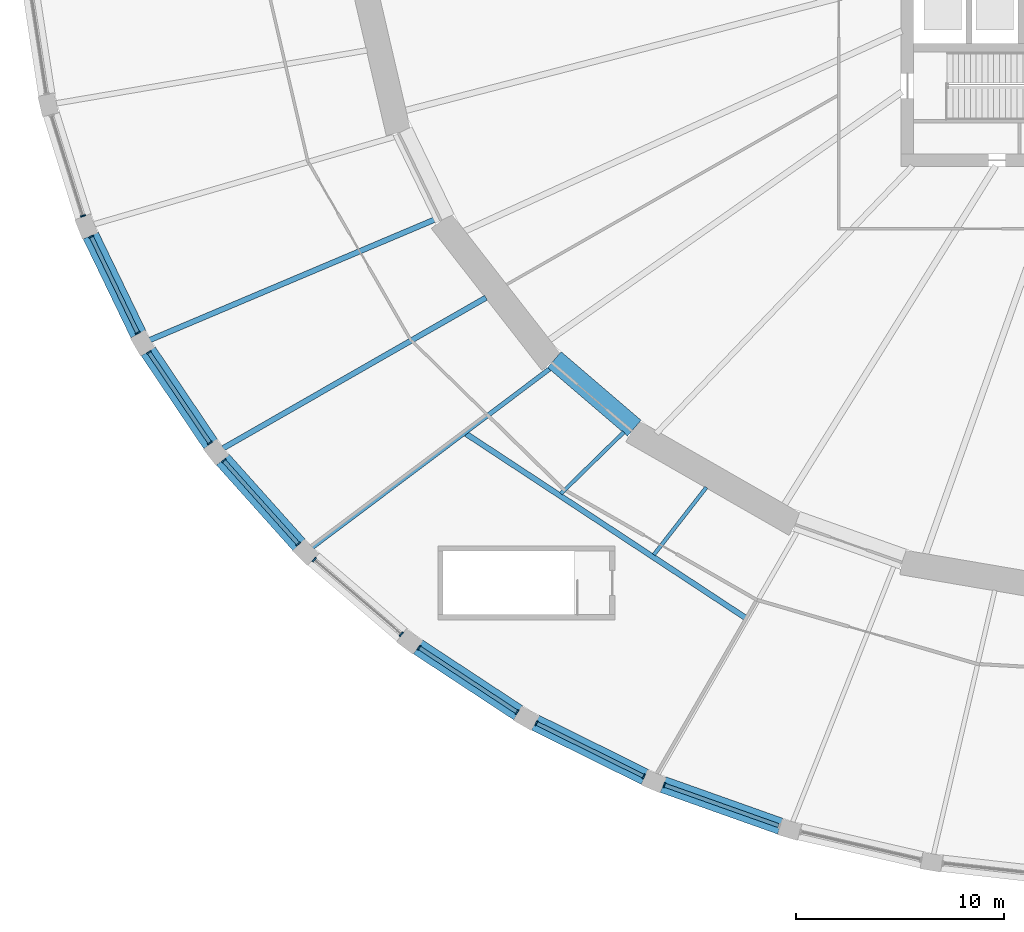
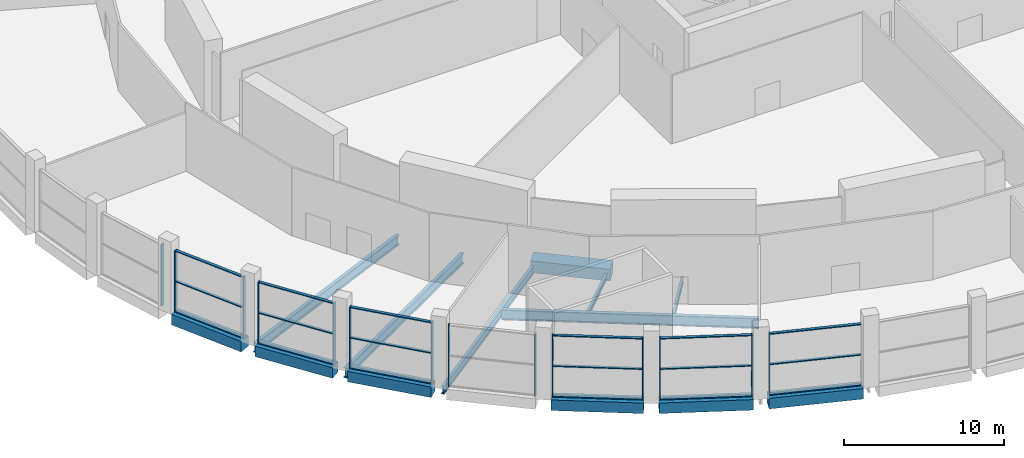
# One storey, part 2 of 26: 32 members, 13 beams, 8 elements without a shape of their own.
"""IFC4 building model written with IfcOpenShell, lengths in metres."""

from ifc_helpers import new_model, si_unit, direction, frame, origin, origin_2d, place, context, subcontext, project, spatial, rectangle, i_section, extrude, material, material_profile, profile_set, type_object, element, aggregate, save


model = new_model("IFC4")

# Units and contexts
model_context = context("Model", 3, precision=1e-05, world=origin(), true_north=direction((0.0, 1.0)))
body_context = subcontext(model_context, "Body", "Model", "MODEL_VIEW")
ifc_project = project(units=[si_unit("LENGTHUNIT", "METRE"), si_unit("AREAUNIT", "SQUARE_METRE"), si_unit("VOLUMEUNIT", "CUBIC_METRE"), si_unit("PLANEANGLEUNIT", "RADIAN"), si_unit("MASSUNIT", "GRAM", prefix="KILO")], contexts=[model_context])

# Site, building, storey
site_placement = place(None, origin())
site = spatial("IfcSite", under=ifc_project, at=site_placement, CompositionType="ELEMENT")
building_placement = place(site_placement, origin())
building = spatial("IfcBuilding", under=site, at=building_placement, Name="Halqa Exchange Tower", CompositionType="ELEMENT")
storey_placement = place(building_placement, frame((0.0, 0.0, 18.0)))
storey = spatial("IfcBuildingStorey", under=building, at=storey_placement, Name="L03", CompositionType="ELEMENT", Elevation=18.0)

# Curtain wall, member
ifc_material_1 = material(Name="Anodised aluminium and clear glass", Category="aluminium")
curtain_wall_type = type_object("IfcCurtainWallType", Name="Exchange hall glazing", PredefinedType="NOTDEFINED", material=ifc_material_1)
curtain_wall_1_placement = place(storey_placement, origin())
curtain_wall_1 = element("IfcCurtainWall", 1, at=curtain_wall_1_placement, inside=storey, type_object=curtain_wall_type, Name="Exchange hall glazing run P26", PredefinedType="NOTDEFINED")
ifc_material_2 = material(Name="Anodised aluminium", Category="aluminium")
ifc_material_profile_1 = material_profile(ifc_material_2, rectangle(XDim=0.25, YDim=0.070068359375, at=origin_2d()), Name="AL 70x250")
ifc_profile_set_1 = profile_set([ifc_material_profile_1], Name="Anodised aluminium")
member_type_1 = type_object("IfcMemberType", Name="Exchange hall glazing mullion 70 x 250", PredefinedType="MULLION", material=ifc_profile_set_1)
member_1_placement = place(storey_placement, frame((-51.293701171875, -14.3720703125, 0.0), z_axis=(0.0, 0.0, 1.0), x_axis=(0.95447130463, 0.298302746613, 0.0)))
member_1 = element("IfcMember", 2, at=member_1_placement, type_object=member_type_1, Name="P26 mullion 2", PredefinedType="MULLION", context=body_context, shape_type="SweptSolid", body=[
    extrude(rectangle(XDim=0.25, YDim=0.070068359375, at=origin_2d()), origin(), (0.0, 0.0, 1.0), 4.699951171875),
])
aggregate(curtain_wall_1, [member_1])

# Curtain wall, members
curtain_wall_2_placement = place(storey_placement, origin())
curtain_wall_2 = element("IfcCurtainWall", 3, at=curtain_wall_2_placement, inside=storey, type_object=curtain_wall_type, Name="Exchange hall glazing run P27", PredefinedType="NOTDEFINED")
member_2_placement = place(storey_placement, frame((-50.9013671875, -15.3642578125, 0.0), z_axis=(0.0, 0.0, 1.0), x_axis=(0.90043534892, 0.434989864727, 0.0)))
member_2 = element("IfcMember", 4, at=member_2_placement, type_object=member_type_1, Name="P27 mullion 1", PredefinedType="MULLION", context=body_context, shape_type="SweptSolid", body=[
    extrude(rectangle(XDim=0.25, YDim=0.070068359375, at=origin_2d()), origin(), (0.0, 0.0, 1.0), 4.699951171875),
])
member_3_placement = place(storey_placement, frame((-48.663818359375, -19.996337890625, 0.0), z_axis=(0.0, 0.0, 1.0), x_axis=(0.90043534892, 0.434989864727, 0.0)))
member_3 = element("IfcMember", 5, at=member_3_placement, type_object=member_type_1, Name="P27 mullion 2", PredefinedType="MULLION", context=body_context, shape_type="SweptSolid", body=[
    extrude(rectangle(XDim=0.25, YDim=0.070068359375, at=origin_2d()), origin(), (0.0, 0.0, 1.0), 4.699951171875),
])

curtain_wall_3_placement = place(storey_placement, origin())
curtain_wall_3 = element("IfcCurtainWall", 6, at=curtain_wall_3_placement, inside=storey, type_object=curtain_wall_type, Name="Exchange hall glazing run P28", PredefinedType="NOTDEFINED")
member_4_placement = place(storey_placement, frame((-48.13232421875, -20.921630859375, 0.0), z_axis=(0.0, 0.0, 1.0), x_axis=(0.8294895023, 0.55852230535, 0.0)))
member_4 = element("IfcMember", 7, at=member_4_placement, type_object=member_type_1, Name="P28 mullion 1", PredefinedType="MULLION", context=body_context, shape_type="SweptSolid", body=[
    extrude(rectangle(XDim=0.25, YDim=0.070068359375, at=origin_2d()), origin(), (0.0, 0.0, 1.0), 4.699951171875),
])
member_5_placement = place(storey_placement, frame((-45.1982421875, -25.279052734375, 0.0), z_axis=(0.0, 0.0, 1.0), x_axis=(0.8294895023, 0.55852230535, 0.0)))
member_5 = element("IfcMember", 8, at=member_5_placement, type_object=member_type_1, Name="P28 mullion 2", PredefinedType="MULLION", context=body_context, shape_type="SweptSolid", body=[
    extrude(rectangle(XDim=0.25, YDim=0.070068359375, at=origin_2d()), origin(), (0.0, 0.0, 1.0), 4.699951171875),
])

curtain_wall_4_placement = place(storey_placement, origin())
curtain_wall_4 = element("IfcCurtainWall", 9, at=curtain_wall_4_placement, inside=storey, type_object=curtain_wall_type, Name="Exchange hall glazing run P29", PredefinedType="NOTDEFINED")
member_6_placement = place(storey_placement, frame((-44.542724609375, -26.12158203125, 0.0), z_axis=(0.0, 0.0, 1.0), x_axis=(0.74514769466, 0.666899477539, 0.0)))
member_6 = element("IfcMember", 10, at=member_6_placement, type_object=member_type_1, Name="P29 mullion 1", PredefinedType="MULLION", context=body_context, shape_type="SweptSolid", body=[
    extrude(rectangle(XDim=0.25, YDim=0.070068359375, at=origin_2d()), origin(), (0.0, 0.0, 1.0), 4.699951171875),
])
member_7_placement = place(storey_placement, frame((-40.9560546875, -30.12890625, 0.0), z_axis=(0.0, 0.0, 1.0), x_axis=(0.74514769466, 0.666899477539, 0.0)))
member_7 = element("IfcMember", 11, at=member_7_placement, type_object=member_type_1, Name="P29 mullion 2", PredefinedType="MULLION", context=body_context, shape_type="SweptSolid", body=[
    extrude(rectangle(XDim=0.25, YDim=0.070068359375, at=origin_2d()), origin(), (0.0, 0.0, 1.0), 4.699951171875),
])

curtain_wall_5_placement = place(storey_placement, origin())
curtain_wall_5 = element("IfcCurtainWall", 12, at=curtain_wall_5_placement, inside=storey, type_object=curtain_wall_type, Name="Exchange hall glazing run P30", PredefinedType="NOTDEFINED")
member_8_placement = place(storey_placement, frame((-40.193115234375, -30.8759765625, 0.0), z_axis=(0.0, 0.0, 1.0), x_axis=(0.650910929175, 0.759154109704, 0.0)))
member_8 = element("IfcMember", 13, at=member_8_placement, type_object=member_type_1, Name="P30 mullion 1", PredefinedType="MULLION", context=body_context, shape_type="SweptSolid", body=[
    extrude(rectangle(XDim=0.25, YDim=0.070068359375, at=origin_2d()), origin(), (0.0, 0.0, 1.0), 4.699951171875),
])
member_9_placement = place(storey_placement, frame((-36.010986328125, -34.4619140625, 0.0), z_axis=(0.0, 0.0, 1.0), x_axis=(0.650910929175, 0.759154109704, 0.0)))
member_9 = element("IfcMember", 14, at=member_9_placement, type_object=member_type_1, Name="P30 mullion 2", PredefinedType="MULLION", context=body_context, shape_type="SweptSolid", body=[
    extrude(rectangle(XDim=0.25, YDim=0.070068359375, at=origin_2d()), origin(), (0.0, 0.0, 1.0), 4.699951171875),
])
aggregate(curtain_wall_5, [member_8, member_9])

curtain_wall_6_placement = place(storey_placement, origin())
curtain_wall_6 = element("IfcCurtainWall", 15, at=curtain_wall_6_placement, inside=storey, type_object=curtain_wall_type, Name="Exchange hall glazing run P31", PredefinedType="NOTDEFINED")
member_10_placement = place(storey_placement, frame((-35.15771484375, -35.104248046875, 0.0), z_axis=(0.0, 0.0, 1.0), x_axis=(0.549620040919, 0.835414753652, 0.0)))
member_10 = element("IfcMember", 16, at=member_10_placement, type_object=member_type_1, Name="P31 mullion 1", PredefinedType="MULLION", context=body_context, shape_type="SweptSolid", body=[
    extrude(rectangle(XDim=0.25, YDim=0.070068359375, at=origin_2d()), origin(), (0.0, 0.0, 1.0), 4.699951171875),
])
member_11_placement = place(storey_placement, frame((-30.44775390625, -38.202880859375, 0.0), z_axis=(0.0, 0.0, 1.0), x_axis=(0.549620040919, 0.835414753652, 0.0)))
member_11 = element("IfcMember", 17, at=member_11_placement, type_object=member_type_1, Name="P31 mullion 2", PredefinedType="MULLION", context=body_context, shape_type="SweptSolid", body=[
    extrude(rectangle(XDim=0.25, YDim=0.070068359375, at=origin_2d()), origin(), (0.0, 0.0, 1.0), 4.699951171875),
])

curtain_wall_7_placement = place(storey_placement, origin())
curtain_wall_7 = element("IfcCurtainWall", 18, at=curtain_wall_7_placement, inside=storey, type_object=curtain_wall_type, Name="Exchange hall glazing run P32", PredefinedType="NOTDEFINED")
member_12_placement = place(storey_placement, frame((-29.521240234375, -38.734375, 0.0), z_axis=(0.0, 0.0, 1.0), x_axis=(0.443653417058, 0.896198440934, 0.0)))
member_12 = element("IfcMember", 19, at=member_12_placement, type_object=member_type_1, Name="P32 mullion 1", PredefinedType="MULLION", context=body_context, shape_type="SweptSolid", body=[
    extrude(rectangle(XDim=0.25, YDim=0.070068359375, at=origin_2d()), origin(), (0.0, 0.0, 1.0), 4.699951171875),
])
member_13_placement = place(storey_placement, frame((-24.363037109375, -41.287841796875, 0.0), z_axis=(0.0, 0.0, 1.0), x_axis=(0.443653417058, 0.896198440934, 0.0)))
member_13 = element("IfcMember", 20, at=member_13_placement, type_object=member_type_1, Name="P32 mullion 2", PredefinedType="MULLION", context=body_context, shape_type="SweptSolid", body=[
    extrude(rectangle(XDim=0.25, YDim=0.070068359375, at=origin_2d()), origin(), (0.0, 0.0, 1.0), 4.699951171875),
])

# Curtain wall, member
curtain_wall_8_placement = place(storey_placement, origin())
curtain_wall_8 = element("IfcCurtainWall", 21, at=curtain_wall_8_placement, inside=storey, type_object=curtain_wall_type, Name="Exchange hall glazing run P33", PredefinedType="NOTDEFINED")
member_14_placement = place(storey_placement, frame((-23.37939453125, -41.7041015625, 0.0), z_axis=(0.0, 0.0, 1.0), x_axis=(0.334688348326, 0.942328875444, 0.0)))
member_14 = element("IfcMember", 22, at=member_14_placement, type_object=member_type_1, Name="P33 mullion 1", PredefinedType="MULLION", context=body_context, shape_type="SweptSolid", body=[
    extrude(rectangle(XDim=0.25, YDim=0.070068359375, at=origin_2d()), origin(), (0.0, 0.0, 1.0), 4.699951171875),
])

# Member
ifc_material_profile_2 = material_profile(ifc_material_2, rectangle(XDim=0.199951171875, YDim=0.070068359375, at=origin_2d()), Name="AL 70x200")
ifc_profile_set_2 = profile_set([ifc_material_profile_2], Name="Anodised aluminium")
member_type_2 = type_object("IfcMemberType", Name="Exchange hall glazing transom 70 x 200", PredefinedType="USERDEFINED", material=ifc_profile_set_2)
member_15_placement = place(storey_placement, frame((-50.88623046875, -15.395751953125, 0.034912109375), z_axis=(0.434989893806, -0.900435334872, 0.0), x_axis=(0.900435334872, 0.434989893806, 0.0)))
member_15 = element("IfcMember", 23, at=member_15_placement, type_object=member_type_2, Name="P27 transom 1.1", ObjectType="TRANSOM", PredefinedType="USERDEFINED", context=body_context, shape_type="SweptSolid", body=[
    extrude(rectangle(XDim=0.199951171875, YDim=0.070068359375, at=origin_2d()), origin(), (0.0, 0.0, 1.0), 5.07421875),
])

member_16_placement = place(storey_placement, frame((-50.88623046875, -15.395751953125, 2.35009765625), z_axis=(0.434989893806, -0.900435334872, 0.0), x_axis=(0.900435334872, 0.434989893806, 0.0)))
member_16 = element("IfcMember", 24, at=member_16_placement, type_object=member_type_2, Name="P27 transom 1.2", ObjectType="TRANSOM", PredefinedType="USERDEFINED", context=body_context, shape_type="SweptSolid", body=[
    extrude(rectangle(XDim=0.199951171875, YDim=0.070068359375, at=origin_2d()), origin(), (0.0, 0.0, 1.0), 5.07421875),
])

member_17_placement = place(storey_placement, frame((-50.88623046875, -15.395751953125, 4.6650390625), z_axis=(0.434989893806, -0.900435334872, 0.0), x_axis=(0.900435334872, 0.434989893806, 0.0)))
member_17 = element("IfcMember", 25, at=member_17_placement, type_object=member_type_2, Name="P27 transom 1.3", ObjectType="TRANSOM", PredefinedType="USERDEFINED", context=body_context, shape_type="SweptSolid", body=[
    extrude(rectangle(XDim=0.199951171875, YDim=0.070068359375, at=origin_2d()), origin(), (0.0, 0.0, 1.0), 5.07421875),
])

aggregate(curtain_wall_2, [member_2, member_3, member_15, member_16, member_17])

member_18_placement = place(storey_placement, frame((-48.11279296875, -20.95068359375, 0.034912109375), z_axis=(0.558520359636, -0.82949081241, 0.0), x_axis=(0.82949081241, 0.558520359636, 0.0)))
member_18 = element("IfcMember", 26, at=member_18_placement, type_object=member_type_2, Name="P28 transom 1.1", ObjectType="TRANSOM", PredefinedType="USERDEFINED", context=body_context, shape_type="SweptSolid", body=[
    extrude(rectangle(XDim=0.199951171875, YDim=0.070068359375, at=origin_2d()), origin(), (0.0, 0.0, 1.0), 5.183349609375),
])

member_19_placement = place(storey_placement, frame((-48.11279296875, -20.95068359375, 2.35009765625), z_axis=(0.558520359636, -0.82949081241, 0.0), x_axis=(0.82949081241, 0.558520359636, 0.0)))
member_19 = element("IfcMember", 27, at=member_19_placement, type_object=member_type_2, Name="P28 transom 1.2", ObjectType="TRANSOM", PredefinedType="USERDEFINED", context=body_context, shape_type="SweptSolid", body=[
    extrude(rectangle(XDim=0.199951171875, YDim=0.070068359375, at=origin_2d()), origin(), (0.0, 0.0, 1.0), 5.183349609375),
])

member_20_placement = place(storey_placement, frame((-48.11279296875, -20.95068359375, 4.6650390625), z_axis=(0.558520359636, -0.82949081241, 0.0), x_axis=(0.82949081241, 0.558520359636, 0.0)))
member_20 = element("IfcMember", 28, at=member_20_placement, type_object=member_type_2, Name="P28 transom 1.3", ObjectType="TRANSOM", PredefinedType="USERDEFINED", context=body_context, shape_type="SweptSolid", body=[
    extrude(rectangle(XDim=0.199951171875, YDim=0.070068359375, at=origin_2d()), origin(), (0.0, 0.0, 1.0), 5.183349609375),
])

aggregate(curtain_wall_3, [member_4, member_5, member_18, member_19, member_20])

member_21_placement = place(storey_placement, frame((-44.519287109375, -26.147705078125, 0.034912109375), z_axis=(0.666880900978, -0.745164320074, 0.0), x_axis=(0.745164320074, 0.666880900978, 0.0)))
member_21 = element("IfcMember", 29, at=member_21_placement, type_object=member_type_2, Name="P29 transom 1.1", ObjectType="TRANSOM", PredefinedType="USERDEFINED", context=body_context, shape_type="SweptSolid", body=[
    extrude(rectangle(XDim=0.199951171875, YDim=0.070068359375, at=origin_2d()), origin(), (0.0, 0.0, 1.0), 5.30810546875),
])

member_22_placement = place(storey_placement, frame((-44.519287109375, -26.147705078125, 2.35009765625), z_axis=(0.666880900978, -0.745164320074, 0.0), x_axis=(0.745164320074, 0.666880900978, 0.0)))
member_22 = element("IfcMember", 30, at=member_22_placement, type_object=member_type_2, Name="P29 transom 1.2", ObjectType="TRANSOM", PredefinedType="USERDEFINED", context=body_context, shape_type="SweptSolid", body=[
    extrude(rectangle(XDim=0.199951171875, YDim=0.070068359375, at=origin_2d()), origin(), (0.0, 0.0, 1.0), 5.30810546875),
])

member_23_placement = place(storey_placement, frame((-44.519287109375, -26.147705078125, 4.6650390625), z_axis=(0.666880900978, -0.745164320074, 0.0), x_axis=(0.745164320074, 0.666880900978, 0.0)))
member_23 = element("IfcMember", 31, at=member_23_placement, type_object=member_type_2, Name="P29 transom 1.3", ObjectType="TRANSOM", PredefinedType="USERDEFINED", context=body_context, shape_type="SweptSolid", body=[
    extrude(rectangle(XDim=0.199951171875, YDim=0.070068359375, at=origin_2d()), origin(), (0.0, 0.0, 1.0), 5.30810546875),
])

aggregate(curtain_wall_4, [member_6, member_7, member_21, member_22, member_23])

member_24_placement = place(storey_placement, frame((-35.12841796875, -35.12353515625, 0.034912109375), z_axis=(0.835401187087, -0.549640661355, 0.0), x_axis=(0.549640661355, 0.835401187087, 0.0)))
member_24 = element("IfcMember", 32, at=member_24_placement, type_object=member_type_2, Name="P31 transom 1.1", ObjectType="TRANSOM", PredefinedType="USERDEFINED", context=body_context, shape_type="SweptSolid", body=[
    extrude(rectangle(XDim=0.199951171875, YDim=0.070068359375, at=origin_2d()), origin(), (0.0, 0.0, 1.0), 5.56787109375),
])

member_25_placement = place(storey_placement, frame((-35.12841796875, -35.12353515625, 2.35009765625), z_axis=(0.835401187087, -0.549640661355, 0.0), x_axis=(0.549640661355, 0.835401187087, 0.0)))
member_25 = element("IfcMember", 33, at=member_25_placement, type_object=member_type_2, Name="P31 transom 1.2", ObjectType="TRANSOM", PredefinedType="USERDEFINED", context=body_context, shape_type="SweptSolid", body=[
    extrude(rectangle(XDim=0.199951171875, YDim=0.070068359375, at=origin_2d()), origin(), (0.0, 0.0, 1.0), 5.56787109375),
])

member_26_placement = place(storey_placement, frame((-35.12841796875, -35.12353515625, 4.6650390625), z_axis=(0.835401187087, -0.549640661355, 0.0), x_axis=(0.549640661355, 0.835401187087, 0.0)))
member_26 = element("IfcMember", 34, at=member_26_placement, type_object=member_type_2, Name="P31 transom 1.3", ObjectType="TRANSOM", PredefinedType="USERDEFINED", context=body_context, shape_type="SweptSolid", body=[
    extrude(rectangle(XDim=0.199951171875, YDim=0.070068359375, at=origin_2d()), origin(), (0.0, 0.0, 1.0), 5.56787109375),
])

aggregate(curtain_wall_6, [member_10, member_11, member_24, member_25, member_26])

member_27_placement = place(storey_placement, frame((-29.489990234375, -38.749755859375, 0.034912109375), z_axis=(0.89618076134, -0.443689128788, 0.0), x_axis=(0.443689128788, 0.89618076134, 0.0)))
member_27 = element("IfcMember", 35, at=member_27_placement, type_object=member_type_2, Name="P32 transom 1.1", ObjectType="TRANSOM", PredefinedType="USERDEFINED", context=body_context, shape_type="SweptSolid", body=[
    extrude(rectangle(XDim=0.199951171875, YDim=0.070068359375, at=origin_2d()), origin(), (0.0, 0.0, 1.0), 5.685791015625),
])

member_28_placement = place(storey_placement, frame((-29.489990234375, -38.749755859375, 2.35009765625), z_axis=(0.89618076134, -0.443689128788, 0.0), x_axis=(0.443689128788, 0.89618076134, 0.0)))
member_28 = element("IfcMember", 36, at=member_28_placement, type_object=member_type_2, Name="P32 transom 1.2", ObjectType="TRANSOM", PredefinedType="USERDEFINED", context=body_context, shape_type="SweptSolid", body=[
    extrude(rectangle(XDim=0.199951171875, YDim=0.070068359375, at=origin_2d()), origin(), (0.0, 0.0, 1.0), 5.685791015625),
])

member_29_placement = place(storey_placement, frame((-29.489990234375, -38.749755859375, 4.6650390625), z_axis=(0.89618076134, -0.443689128788, 0.0), x_axis=(0.443689128788, 0.89618076134, 0.0)))
member_29 = element("IfcMember", 37, at=member_29_placement, type_object=member_type_2, Name="P32 transom 1.3", ObjectType="TRANSOM", PredefinedType="USERDEFINED", context=body_context, shape_type="SweptSolid", body=[
    extrude(rectangle(XDim=0.199951171875, YDim=0.070068359375, at=origin_2d()), origin(), (0.0, 0.0, 1.0), 5.685791015625),
])

aggregate(curtain_wall_7, [member_12, member_13, member_27, member_28, member_29])

member_30_placement = place(storey_placement, frame((-23.346435546875, -41.7158203125, 0.034912109375), z_axis=(0.942328600126, -0.334689123493, 0.0), x_axis=(0.334689123493, 0.942328600126, 0.0)))
member_30 = element("IfcMember", 38, at=member_30_placement, type_object=member_type_2, Name="P33 transom 1.1", ObjectType="TRANSOM", PredefinedType="USERDEFINED", context=body_context, shape_type="SweptSolid", body=[
    extrude(rectangle(XDim=0.199951171875, YDim=0.070068359375, at=origin_2d()), origin(), (0.0, 0.0, 1.0), 5.785400390625),
])

member_31_placement = place(storey_placement, frame((-23.346435546875, -41.7158203125, 2.35009765625), z_axis=(0.942328600126, -0.334689123493, 0.0), x_axis=(0.334689123493, 0.942328600126, 0.0)))
member_31 = element("IfcMember", 39, at=member_31_placement, type_object=member_type_2, Name="P33 transom 1.2", ObjectType="TRANSOM", PredefinedType="USERDEFINED", context=body_context, shape_type="SweptSolid", body=[
    extrude(rectangle(XDim=0.199951171875, YDim=0.070068359375, at=origin_2d()), origin(), (0.0, 0.0, 1.0), 5.785400390625),
])

member_32_placement = place(storey_placement, frame((-23.346435546875, -41.7158203125, 4.6650390625), z_axis=(0.942328600126, -0.334689123493, 0.0), x_axis=(0.334689123493, 0.942328600126, 0.0)))
member_32 = element("IfcMember", 40, at=member_32_placement, type_object=member_type_2, Name="P33 transom 1.3", ObjectType="TRANSOM", PredefinedType="USERDEFINED", context=body_context, shape_type="SweptSolid", body=[
    extrude(rectangle(XDim=0.199951171875, YDim=0.070068359375, at=origin_2d()), origin(), (0.0, 0.0, 1.0), 5.785400390625),
])

aggregate(curtain_wall_8, [member_14, member_30, member_31, member_32])

# Beams
ifc_material_3 = material(Name="Steel S355", Category="steel")
ifc_material_profile_3 = material_profile(ifc_material_3, i_section(OverallWidth=0.179931640625, OverallDepth=0.39990234375, WebThickness=0.008544921875, FlangeThickness=0.013427734375, FilletRadius=0.02099609375, at=origin_2d()), Name="IPE 400")
ifc_profile_set_3 = profile_set([ifc_material_profile_3], Name="Steel S355")
beam_type_1 = type_object("IfcBeamType", Name="Floor beam IPE 400", PredefinedType="BEAM", material=ifc_profile_set_3)
beam_1_placement = place(storey_placement, frame((-25.322265625, -24.757080078125, -0.550048828125), z_axis=(-0.715007310884, -0.699116975464, 0.0), x_axis=(0.699116975464, -0.715007310884, 0.0)))
element("IfcBeam", 41, at=beam_1_placement, inside=storey, type_object=beam_type_1, Name="Radial beam 31a", PredefinedType="BEAM", context=body_context, shape_type="SweptSolid", body=[
    extrude(i_section(OverallWidth=0.179931640625, OverallDepth=0.39990234375, WebThickness=0.008544921875, FlangeThickness=0.013427734375, FilletRadius=0.02099609375, at=origin_2d()), origin(), (0.0, 0.0, 1.0), 4.22509765625),
])
beam_2_placement = place(storey_placement, frame((-21.3603515625, -27.40966796875, -0.550048828125), z_axis=(-0.614706293657, -0.788756091919, 0.0), x_axis=(0.788756091919, -0.614706293657, 0.0)))
element("IfcBeam", 42, at=beam_2_placement, inside=storey, type_object=beam_type_1, Name="Radial beam 32a", PredefinedType="BEAM", context=body_context, shape_type="SweptSolid", body=[
    extrude(i_section(OverallWidth=0.179931640625, OverallDepth=0.39990234375, WebThickness=0.008544921875, FlangeThickness=0.013427734375, FilletRadius=0.02099609375, at=origin_2d()), origin(), (0.0, 0.0, 1.0), 4.104248046875),
])
ifc_material_profile_4 = material_profile(ifc_material_3, i_section(OverallWidth=0.219970703125, OverallDepth=0.60009765625, WebThickness=0.011962890625, FlangeThickness=0.01904296875, FilletRadius=0.02392578125, at=origin_2d()), Name="IPE 600")
ifc_profile_set_4 = profile_set([ifc_material_profile_4], Name="Steel S355")
beam_type_2 = type_object("IfcBeamType", Name="Floor beam IPE 600", PredefinedType="BEAM", material=ifc_profile_set_4)
beam_3_placement = place(storey_placement, frame((-28.875732421875, -21.71240234375, -0.64990234375), z_axis=(-0.799257291391, -0.600989003359, 0.0), x_axis=(0.600989003359, -0.799257291391, 0.0)))
element("IfcBeam", 43, at=beam_3_placement, inside=storey, type_object=beam_type_2, Name="Radial beam 30", PredefinedType="BEAM", context=body_context, shape_type="SweptSolid", body=[
    extrude(i_section(OverallWidth=0.219970703125, OverallDepth=0.60009765625, WebThickness=0.011962890625, FlangeThickness=0.01904296875, FilletRadius=0.02392578125, at=origin_2d()), origin(), (0.0, 0.0, 1.0), 14.291259765625),
])
ifc_material_profile_5 = material_profile(ifc_material_3, i_section(OverallWidth=0.264892578125, OverallDepth=0.7529296875, WebThickness=0.01318359375, FlangeThickness=0.01708984375, FilletRadius=0.01708984375, at=origin_2d()), Name="IPE 750x147")
ifc_profile_set_5 = profile_set([ifc_material_profile_5], Name="Steel S355")
beam_type_3 = type_object("IfcBeamType", Name="Floor beam IPE 750x147", PredefinedType="BEAM", material=ifc_profile_set_5)
beam_4_placement = place(storey_placement, frame((-34.423583984375, -14.555419921875, -0.7265625), z_axis=(-0.921054684963, -0.389433264254, 0.0), x_axis=(0.389433264254, -0.921054684963, 0.0)))
element("IfcBeam", 44, at=beam_4_placement, inside=storey, type_object=beam_type_3, Name="Radial beam 28", PredefinedType="BEAM", context=body_context, shape_type="SweptSolid", body=[
    extrude(i_section(OverallWidth=0.264892578125, OverallDepth=0.7529296875, WebThickness=0.01318359375, FlangeThickness=0.01708984375, FilletRadius=0.01708984375, at=origin_2d()), origin(), (0.0, 0.0, 1.0), 14.83349609375),
])
beam_5_placement = place(storey_placement, frame((-31.942626953125, -18.300048828125, -0.7265625), z_axis=(-0.867691436398, -0.497103179633, 0.0), x_axis=(0.497103179633, -0.867691436398, 0.0)))
element("IfcBeam", 45, at=beam_5_placement, inside=storey, type_object=beam_type_3, Name="Radial beam 29", PredefinedType="BEAM", context=body_context, shape_type="SweptSolid", body=[
    extrude(i_section(OverallWidth=0.264892578125, OverallDepth=0.7529296875, WebThickness=0.01318359375, FlangeThickness=0.01708984375, FilletRadius=0.01708984375, at=origin_2d()), origin(), (0.0, 0.0, 1.0), 14.555908203125),
])
ifc_material_profile_6 = material_profile(ifc_material_3, i_section(OverallWidth=0.26806640625, OverallDepth=0.77001953125, WebThickness=0.015625, FlangeThickness=0.025390625, FilletRadius=0.01708984375, at=origin_2d()), Name="IPE 750x196")
ifc_profile_set_6 = profile_set([ifc_material_profile_6], Name="Steel S355")
beam_type_4 = type_object("IfcBeamType", Name="Floor beam IPE 750x196", PredefinedType="BEAM", material=ifc_profile_set_6)
beam_6_placement = place(storey_placement, frame((-32.896728515625, -24.839599609375, -0.735107421875), z_axis=(0.835204203593, -0.54993994063, 0.0), x_axis=(0.54993994063, 0.835204203593, 0.0)))
element("IfcBeam", 46, at=beam_6_placement, inside=storey, type_object=beam_type_4, Name="Radial beam TPS4-in", PredefinedType="BEAM", context=body_context, shape_type="SweptSolid", body=[
    extrude(i_section(OverallWidth=0.26806640625, OverallDepth=0.77001953125, WebThickness=0.015625, FlangeThickness=0.025390625, FilletRadius=0.01708984375, at=origin_2d()), origin(), (0.0, 0.0, 1.0), 16.07958984375),
])
ifc_material_4 = material(Name="Concrete C60/75", Category="concrete")
ifc_material_profile_7 = material_profile(ifc_material_4, rectangle(XDim=0.800048828125, YDim=0.800048828125, at=origin_2d()), Name="800 x 800")
ifc_profile_set_7 = profile_set([ifc_material_profile_7], Name="Concrete C60/75")
beam_type_5 = type_object("IfcBeamType", Name="RC podium edge beam 800 x 800 C60/75", PredefinedType="SPANDREL", material=ifc_profile_set_7)
beam_7_placement = place(storey_placement, frame((-50.92822265625, -15.308837890625, -0.39990234375), z_axis=(0.43497328232, -0.9004433595, 0.0), x_axis=(0.9004433595, 0.43497328232, 0.0)))
element("IfcBeam", 47, at=beam_7_placement, inside=storey, type_object=beam_type_5, Name="Podium edge beam 27", PredefinedType="SPANDREL", context=body_context, shape_type="SweptSolid", body=[
    extrude(rectangle(XDim=0.800048828125, YDim=0.800048828125, at=origin_2d()), origin(), (0.0, 0.0, 1.0), 5.267578125),
])
beam_8_placement = place(storey_placement, frame((-48.1669921875, -20.8701171875, -0.39990234375), z_axis=(0.558528358221, -0.829485426673, 0.0), x_axis=(0.829485426673, 0.558528358221, 0.0)))
element("IfcBeam", 48, at=beam_8_placement, inside=storey, type_object=beam_type_5, Name="Podium edge beam 28", PredefinedType="SPANDREL", context=body_context, shape_type="SweptSolid", body=[
    extrude(rectangle(XDim=0.800048828125, YDim=0.800048828125, at=origin_2d()), origin(), (0.0, 0.0, 1.0), 5.378173828125),
])
beam_9_placement = place(storey_placement, frame((-44.58349609375, -26.075927734375, -0.39990234375), z_axis=(0.666902525907, -0.745144966392, 0.0), x_axis=(0.745144966392, 0.666902525907, 0.0)))
element("IfcBeam", 49, at=beam_9_placement, inside=storey, type_object=beam_type_5, Name="Podium edge beam 29", PredefinedType="SPANDREL", context=body_context, shape_type="SweptSolid", body=[
    extrude(rectangle(XDim=0.800048828125, YDim=0.800048828125, at=origin_2d()), origin(), (0.0, 0.0, 1.0), 5.501220703125),
])
beam_10_placement = place(storey_placement, frame((-35.208984375, -35.070556640625, -0.39990234375), z_axis=(0.835418618456, -0.549614166426, 0.0), x_axis=(0.549614166426, 0.835418618456, 0.0)))
element("IfcBeam", 50, at=beam_10_placement, inside=storey, type_object=beam_type_5, Name="Podium edge beam 31", PredefinedType="SPANDREL", context=body_context, shape_type="SweptSolid", body=[
    extrude(rectangle(XDim=0.800048828125, YDim=0.800048828125, at=origin_2d()), origin(), (0.0, 0.0, 1.0), 5.760986328125),
])
beam_11_placement = place(storey_placement, frame((-29.576904296875, -38.706787109375, -0.39990234375), z_axis=(0.896205416004, -0.443639326847, 0.0), x_axis=(0.443639326847, 0.896205416004, 0.0)))
element("IfcBeam", 51, at=beam_11_placement, inside=storey, type_object=beam_type_5, Name="Podium edge beam 32", PredefinedType="SPANDREL", context=body_context, shape_type="SweptSolid", body=[
    extrude(rectangle(XDim=0.800048828125, YDim=0.800048828125, at=origin_2d()), origin(), (0.0, 0.0, 1.0), 5.880126953125),
])
beam_12_placement = place(storey_placement, frame((-23.4384765625, -41.683349609375, -0.39990234375), z_axis=(0.942343471221, -0.334647250469, 0.0), x_axis=(0.334647250469, 0.942343471221, 0.0)))
element("IfcBeam", 52, at=beam_12_placement, inside=storey, type_object=beam_type_5, Name="Podium edge beam 33", PredefinedType="SPANDREL", context=body_context, shape_type="SweptSolid", body=[
    extrude(rectangle(XDim=0.800048828125, YDim=0.800048828125, at=origin_2d()), origin(), (0.0, 0.0, 1.0), 5.980712890625),
])
ifc_material_profile_8 = material_profile(ifc_material_4, rectangle(XDim=1.0, YDim=0.89990234375, at=origin_2d()), Name="1000 x 900")
ifc_profile_set_8 = profile_set([ifc_material_profile_8], Name="Concrete C60/75")
beam_type_6 = type_object("IfcBeamType", Name="RC spandrel beam 1000 x 900 C60/75", PredefinedType="SPANDREL", material=ifc_profile_set_8)
beam_13_placement = place(storey_placement, frame((-28.659423828125, -21.27587890625, -0.449951171875), z_axis=(0.759263417999, -0.650783421799, 0.0), x_axis=(0.650783421799, 0.759263417999, 0.0)))
element("IfcBeam", 53, at=beam_13_placement, inside=storey, type_object=beam_type_6, Name="Spandrel 20", PredefinedType="SPANDREL", context=body_context, shape_type="SweptSolid", body=[
    extrude(rectangle(XDim=1.0, YDim=0.89990234375, at=origin_2d()), origin(), (0.0, 0.0, 1.0), 5.056884765625),
])

save(model, "model.ifc")
